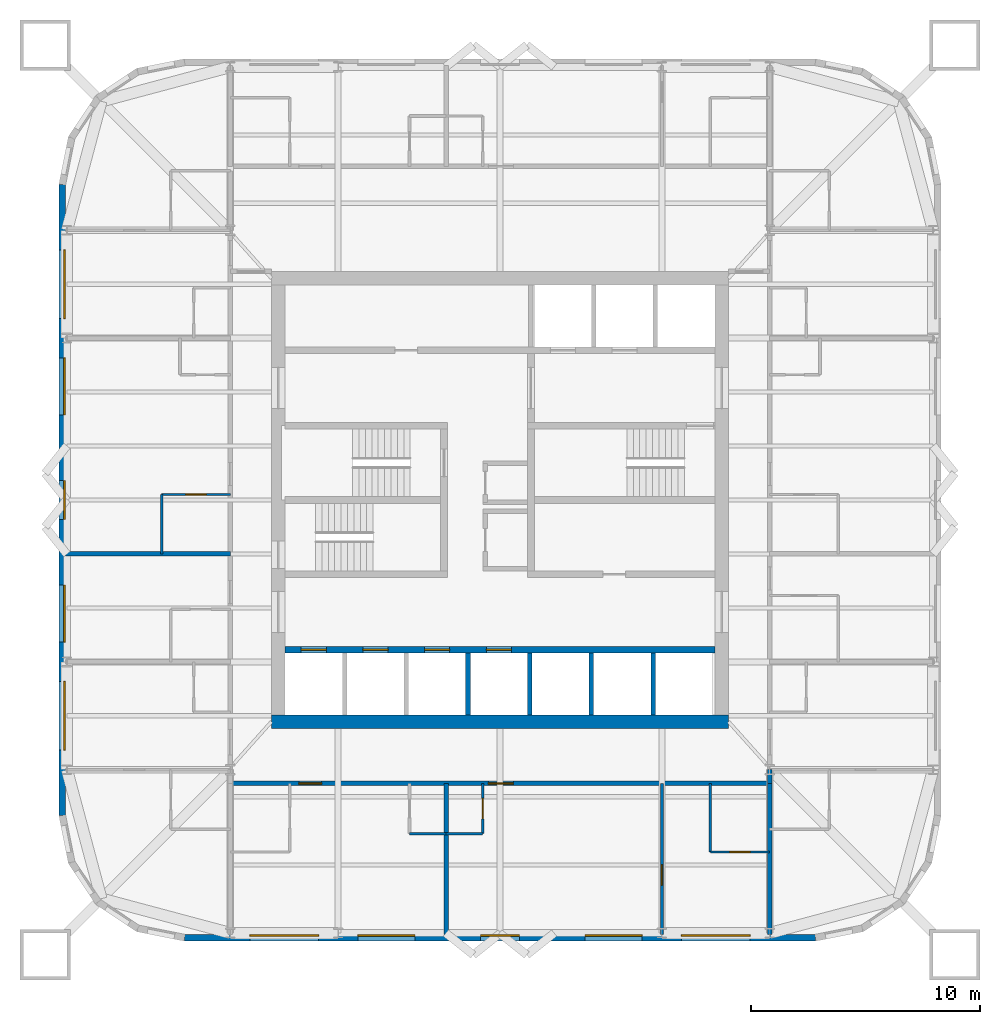
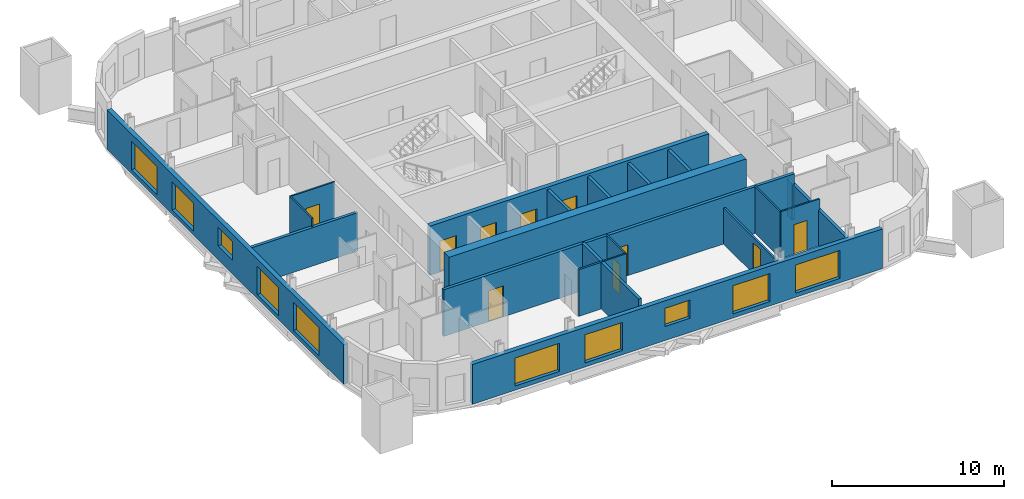
# One storey, part 3 of 8: 21 walls, 10 doors, 10 windows, 20 openings.
"""IFC4 building model written with IfcOpenShell, lengths in metres."""

import ifcopenshell
import ifcopenshell.guid

model = None  # the IFC model being written
_history = None  # IfcOwnerHistory: only IFC2X3 demands one
_inside = {}  # id of a spatial element -> (the spatial element, [elements in it])
_under = {}  # id of a project, library or spatial element -> (it, [spatial elements below it])
_declared = {}  # id of a project -> (the project, [libraries it declares])
_typed = {}  # id of a type object -> (the type object, [elements of that type])
_made_of = {}  # id of a material, layer set ... -> (it, [elements and type objects made of it])


def new_model(schema):
    """Start an empty IFC model of exactly this schema.

    Asked for "IFC4X3", IfcOpenShell would pick the latest addendum, in which some entities
    have other attributes; the version numbers below select the first issue.
    IFC2X3 requires an IfcOwnerHistory on every rooted entity: one is made here for all.
    """
    global model, _history
    if schema == "IFC4X3":
        model = ifcopenshell.file(schema_version=(4, 3, 0, 0))
    else:
        model = ifcopenshell.file(schema=schema)
    _inside.clear()
    _under.clear()
    _declared.clear()
    _typed.clear()
    _made_of.clear()
    _history = None
    if model.schema == "IFC2X3":
        org = make("IfcOrganization", Name="unknown")
        user = make(
            "IfcPersonAndOrganization",
            ThePerson=make("IfcPerson", FamilyName="unknown"),
            TheOrganization=org,
        )
        app = make(
            "IfcApplication",
            ApplicationDeveloper=org,
            Version="unknown",
            ApplicationFullName="unknown",
            ApplicationIdentifier="unknown",
        )
        _history = make(
            "IfcOwnerHistory",
            OwningUser=user,
            OwningApplication=app,
            ChangeAction="ADDED",
            CreationDate=0,
        )
    return model


def make(cls, **values):
    """One entity of the class cls with the attributes given. An attribute that is None is left unset."""
    return model.create_entity(
        cls, **{name: value for name, value in values.items() if value is not None}
    )


def rooted(cls, **values):
    """An entity with a GlobalId (a new one), such as an element, a storey or a relation."""
    return make(cls, GlobalId=ifcopenshell.guid.new(), OwnerHistory=_history, **values)


def si_unit(unit_type, name, prefix=None):
    """IfcSIUnit, for example si_unit("LENGTHUNIT", "METRE", prefix="MILLI")."""
    return make("IfcSIUnit", UnitType=unit_type, Prefix=prefix, Name=name)


def assignment(units):
    """IfcUnitAssignment: the units of a project."""
    return None if units is None else make("IfcUnitAssignment", Units=units)


def point(xyz):
    """IfcCartesianPoint."""
    return None if xyz is None else make("IfcCartesianPoint", Coordinates=xyz)


def direction(xyz):
    """IfcDirection."""
    return None if xyz is None else make("IfcDirection", DirectionRatios=xyz)


def frame(location, z_axis=None, x_axis=None):
    """IfcAxis2Placement3D, a coordinate frame: its origin and axes. An axis left out is left unset."""
    return make(
        "IfcAxis2Placement3D",
        Location=point(location),
        Axis=direction(z_axis),
        RefDirection=direction(x_axis),
    )


def frame_2d(location, x_axis=None):
    """IfcAxis2Placement2D, a coordinate frame in the plane: its origin and x axis."""
    return make(
        "IfcAxis2Placement2D", Location=point(location), RefDirection=direction(x_axis)
    )


def origin():
    """The frame at (0, 0, 0) with its axes left unset."""
    return frame((0.0, 0.0, 0.0))


def place(relative_to, where):
    """IfcLocalPlacement: puts the frame where relative to a parent placement (None: the world)."""
    return make(
        "IfcLocalPlacement", PlacementRelTo=relative_to, RelativePlacement=where
    )


def context(
    kind, dimensions, precision=None, world=None, true_north=None, identifier=None
):
    """IfcGeometricRepresentationContext, for example the 3D "Model" context."""
    return make(
        "IfcGeometricRepresentationContext",
        ContextIdentifier=identifier,
        ContextType=kind,
        CoordinateSpaceDimension=dimensions,
        Precision=precision,
        WorldCoordinateSystem=world,
        TrueNorth=true_north,
    )


def subcontext(parent, identifier, kind, view, scale=None):
    """IfcGeometricRepresentationSubContext, for example "Body" below "Model"."""
    return make(
        "IfcGeometricRepresentationSubContext",
        ContextIdentifier=identifier,
        ContextType=kind,
        ParentContext=parent,
        TargetScale=scale,
        TargetView=view,
    )


def project(units=None, contexts=None):
    """IfcProject with its units and contexts."""
    return rooted(
        "IfcProject",
        Name="project",
        RepresentationContexts=contexts,
        UnitsInContext=assignment(units),
    )


def spatial(cls, under=None, at=None, **own):
    """A site, building, storey or space (cls), placed at a placement, below another one or the project."""
    s = rooted(cls, ObjectPlacement=at, **own)
    if under is not None:
        _under.setdefault(under.id(), (under, []))[1].append(s)
    return s


def profile(cls, at=None, kind="AREA", **sizes):
    """A parametric profile (cls). Its sizes go by their IFC names, for example OverallWidth=200.0."""
    return make(cls, ProfileType=kind, Position=at, **sizes)


def rectangle(**sizes):
    """IfcRectangleProfileDef."""
    return profile("IfcRectangleProfileDef", **sizes)


def extrude(swept, where, along, depth):
    """IfcExtrudedAreaSolid: the profile swept, set in the frame where, extruded along a direction by depth."""
    return make(
        "IfcExtrudedAreaSolid",
        SweptArea=swept,
        Position=where,
        ExtrudedDirection=direction(along),
        Depth=depth,
    )


def shape(context_of_items, identifier, shape_type, items):
    """IfcShapeRepresentation: the items that make up one representation, for example the "Body"."""
    return make(
        "IfcShapeRepresentation",
        ContextOfItems=context_of_items,
        RepresentationIdentifier=identifier,
        RepresentationType=shape_type,
        Items=items,
    )


def material(Name=None, Category=None):
    """IfcMaterial."""
    return make("IfcMaterial", Name=Name, Category=Category)


def layer(
    of_material, thickness, ventilated=None, Name=None, Category=None, Priority=None
):
    """IfcMaterialLayer: one layer of a wall or slab, of a material (None: an air gap)."""
    return make(
        "IfcMaterialLayer",
        Material=of_material,
        LayerThickness=thickness,
        IsVentilated=ventilated,
        Name=Name,
        Category=Category,
        Priority=Priority,
    )


def layer_set(layers, Name=None):
    """IfcMaterialLayerSet."""
    return make("IfcMaterialLayerSet", MaterialLayers=layers, LayerSetName=Name)


def made_of(thing, what):
    """Note that an element or type object is made of a material, layer set ...; save() writes the relation."""
    if what is not None:
        _made_of.setdefault(what.id(), (what, []))[1].append(thing)
    return thing


def type_object(cls, material=None, **own):
    """A type object (cls), such as IfcWallType, which elements share."""
    return made_of(rooted(cls, **own), material)


def element(
    cls,
    number,
    at=None,
    inside=None,
    cuts=None,
    type_object=None,
    material=None,
    context=None,
    identifier="Body",
    shape_type=None,
    held_by="IfcProductDefinitionShape",
    body=None,
    shapes=None,
    **own,
):
    """One element of the class cls, such as IfcWall. Its Tag is "e" and its number.

    at: its placement. inside: the storey or other place that contains it. cuts: it is an
    opening in that element (IfcRelVoidsElement). A single representation is given by context,
    identifier, shape_type and body (its items); several are given by shapes. held_by: the class
    of the entity that holds the representations. save() writes the other relations.
    """
    e = rooted(cls, Tag="e%d" % number, ObjectPlacement=at, **own)
    if body is not None:
        shapes = [shape(context, identifier, shape_type, body)]
    if shapes is not None:
        e.Representation = make(held_by, Representations=shapes)
    if inside is not None:
        _inside.setdefault(inside.id(), (inside, []))[1].append(e)
    if cuts is not None:
        rooted(
            "IfcRelVoidsElement", RelatingBuildingElement=cuts, RelatedOpeningElement=e
        )
    if type_object is not None:
        _typed.setdefault(type_object.id(), (type_object, []))[1].append(e)
    return made_of(e, material)


def fill(opening, filler):
    """IfcRelFillsElement: the door or window that sits in an opening."""
    return rooted(
        "IfcRelFillsElement",
        RelatingOpeningElement=opening,
        RelatedBuildingElement=filler,
    )


def aggregate(whole, parts):
    """IfcRelAggregates: a whole, such as a stair, and the parts it consists of."""
    return rooted("IfcRelAggregates", RelatingObject=whole, RelatedObjects=parts)


def save(model, path):
    """Write the relations noted so far, then the file.

    IfcRelAggregates (storeys below a building ...), IfcRelContainedInSpatialStructure (elements
    in a storey), IfcRelDefinesByType, IfcRelAssociatesMaterial and IfcRelDeclares: one each for
    every whole, place, type object, material and project.
    """
    for whole, parts in _under.values():
        aggregate(whole, parts)
    for where, things in _inside.values():
        rooted(
            "IfcRelContainedInSpatialStructure",
            RelatedElements=things,
            RelatingStructure=where,
        )
    for kind, things in _typed.values():
        rooted("IfcRelDefinesByType", RelatedObjects=things, RelatingType=kind)
    for what, things in _made_of.values():
        rooted("IfcRelAssociatesMaterial", RelatedObjects=things, RelatingMaterial=what)
    for by, libraries in _declared.values():
        rooted("IfcRelDeclares", RelatingContext=by, RelatedDefinitions=libraries)
    model.write(path)


model = new_model("IFC4")

# Units and contexts
model_context = context("Model", 3, precision=1e-05, world=origin(), true_north=direction((0.0, 1.0)))
body_context = subcontext(model_context, "Body", "Model", "MODEL_VIEW")
ifc_project = project(units=[si_unit("LENGTHUNIT", "METRE"), si_unit("AREAUNIT", "SQUARE_METRE"), si_unit("VOLUMEUNIT", "CUBIC_METRE"), si_unit("PLANEANGLEUNIT", "RADIAN"), si_unit("MASSUNIT", "GRAM", prefix="KILO")], contexts=[model_context])

# Site, building, storey
site_placement = place(None, origin())
site = spatial("IfcSite", under=ifc_project, at=site_placement, CompositionType="ELEMENT")
building_placement = place(site_placement, origin())
building = spatial("IfcBuilding", under=site, at=building_placement, Name="Turquesa Mirador Hotel Tower", CompositionType="ELEMENT")
storey_placement = place(building_placement, frame((0.0, 0.0, 193.300048828125)))
storey = spatial("IfcBuildingStorey", under=building, at=storey_placement, Name="L52", CompositionType="ELEMENT", Elevation=193.300048828125)

# Wall
ifc_material_1 = material(Name="Gypsum board on steel studs", Category="steel")
ifc_layer_1 = layer(ifc_material_1, 0.10009765625)
ifc_layer_set_1 = layer_set([ifc_layer_1], Name="BATHROOM WALL 100")
wall_type_1 = type_object("IfcWallType", Name="BATHROOM WALL 100", PredefinedType="PARTITIONING", material=ifc_layer_set_1)
wall_1_placement = place(storey_placement, frame((52.639892578125, 30.39990234375, 0.0), z_axis=(0.0, 0.0, 1.0), x_axis=(1.0, 0.0, 0.0)))
element("IfcWall", 1, at=wall_1_placement, inside=storey, type_object=wall_type_1, Name="Partition L52 008", PredefinedType="PARTITIONING", context=body_context, shape_type="SweptSolid", body=[
    extrude(rectangle(XDim=1.60009765625, YDim=0.10009765625, at=frame_2d((0.800048828125, 0.0))), origin(), (0.0, 0.0, 1.0), 3.329833984375),
])

# Wall, opening, door
wall_2_placement = place(storey_placement, frame((64.199951171875, 29.60009765625, 0.0), z_axis=(0.0, 0.0, 1.0), x_axis=(1.0, 0.0, 0.0)))
wall_2 = element("IfcWall", 2, at=wall_2_placement, inside=storey, type_object=wall_type_1, Name="Partition L52 011", PredefinedType="PARTITIONING", context=body_context, shape_type="SweptSolid", body=[
    extrude(rectangle(XDim=2.60009765625, YDim=0.10009765625, at=frame_2d((1.300048828125, 0.0))), origin(), (0.0, 0.0, 1.0), 3.329833984375),
])
opening_1_placement = place(wall_2_placement, frame((0.85009765625, 0.0, 0.0)))
opening_1 = element("IfcOpeningElement", 3, at=opening_1_placement, cuts=wall_2, Name="Opening D02", PredefinedType="OPENING", context=body_context, shape_type="SweptSolid", body=[
    extrude(rectangle(XDim=0.89990234375, YDim=2.10009765625, at=frame_2d((0.449951171875, 1.050048828125))), frame((0.0, 0.06005859375, 0.0), z_axis=(0.0, -1.0, 0.0), x_axis=(1.0, 0.0, 0.0)), (0.0, 0.0, 1.0), 0.1201171875),
])
ifc_material_2 = material(Name="Timber veneered door", Category="wood")
door_type_1 = type_object("IfcDoorType", Name="DOOR 900X2100 EN-SUITE", OperationType="SINGLE_SWING_RIGHT", PredefinedType="DOOR", material=ifc_material_2)
door_1_placement = place(opening_1_placement, origin())
door_1 = element("IfcDoor", 4, at=door_1_placement, inside=storey, type_object=door_type_1, Name="Door 5204B", OperationType="SINGLE_SWING_RIGHT", OverallHeight=2.10009765625, OverallWidth=0.89990234375, PredefinedType="DOOR", context=body_context, shape_type="SweptSolid", body=[
    extrude(rectangle(XDim=0.89990234375, YDim=2.10009765625, at=frame_2d((0.449951171875, 1.050048828125))), frame((0.0, 0.02490234375, 0.0), z_axis=(0.0, -1.0, 0.0), x_axis=(1.0, 0.0, 0.0)), (0.0, 0.0, 1.0), 0.050048828125),
])
fill(opening_1, door_1)

wall_3_placement = place(storey_placement, frame((40.199951171875, 45.239990234375, 0.0), z_axis=(0.0, 0.0, 1.0), x_axis=(1.0, 0.0, 0.0)))
wall_3 = element("IfcWall", 5, at=wall_3_placement, inside=storey, type_object=wall_type_1, Name="Partition L52 020", PredefinedType="PARTITIONING", context=body_context, shape_type="SweptSolid", body=[
    extrude(rectangle(XDim=3.0, YDim=0.10009765625, at=frame_2d((1.5, 0.0))), origin(), (0.0, 0.0, 1.0), 3.329833984375),
])
opening_2_placement = place(wall_3_placement, frame((1.050048828125, 0.0, 0.0)))
opening_2 = element("IfcOpeningElement", 6, at=opening_2_placement, cuts=wall_3, Name="Opening D02", PredefinedType="OPENING", context=body_context, shape_type="SweptSolid", body=[
    extrude(rectangle(XDim=0.89990234375, YDim=2.10009765625, at=frame_2d((0.449951171875, 1.050048828125))), frame((0.0, 0.06005859375, 0.0), z_axis=(0.0, -1.0, 0.0), x_axis=(1.0, 0.0, 0.0)), (0.0, 0.0, 1.0), 0.1201171875),
])
door_2_placement = place(opening_2_placement, origin())
door_2 = element("IfcDoor", 7, at=door_2_placement, inside=storey, type_object=door_type_1, Name="Door 5208B", OperationType="SINGLE_SWING_RIGHT", OverallHeight=2.10009765625, OverallWidth=0.89990234375, PredefinedType="DOOR", context=body_context, shape_type="SweptSolid", body=[
    extrude(rectangle(XDim=0.89990234375, YDim=2.10009765625, at=frame_2d((0.449951171875, 1.050048828125))), frame((0.0, 0.02490234375, 0.0), z_axis=(0.0, -1.0, 0.0), x_axis=(1.0, 0.0, 0.0)), (0.0, 0.0, 1.0), 0.050048828125),
])
fill(opening_2, door_2)

wall_4_placement = place(storey_placement, frame((54.239990234375, 30.39990234375, 0.0), z_axis=(0.0, 0.0, 1.0), x_axis=(0.0, 1.0, 0.0)))
wall_4 = element("IfcWall", 8, at=wall_4_placement, inside=storey, type_object=wall_type_1, Name="Partition L52 041", PredefinedType="PARTITIONING", context=body_context, shape_type="SweptSolid", body=[
    extrude(rectangle(XDim=2.2001953125, YDim=0.10009765625, at=frame_2d((1.10009765625, 0.0))), origin(), (0.0, 0.0, 1.0), 3.329833984375),
])
opening_3_placement = place(wall_4_placement, frame((0.64990234375, 0.0, 0.0)))
opening_3 = element("IfcOpeningElement", 9, at=opening_3_placement, cuts=wall_4, Name="Opening D06", PredefinedType="OPENING", context=body_context, shape_type="SweptSolid", body=[
    extrude(rectangle(XDim=0.89990234375, YDim=2.10009765625, at=frame_2d((0.449951171875, 1.050048828125))), frame((0.0, 0.06005859375, 0.0), z_axis=(0.0, -1.0, 0.0), x_axis=(1.0, 0.0, 0.0)), (0.0, 0.0, 1.0), 0.1201171875),
])
ifc_material_3 = material(Name="Laminate door", Category="wood")
door_type_2 = type_object("IfcDoorType", Name="DOOR 900X2100 WC", OperationType="SINGLE_SWING_LEFT", PredefinedType="DOOR", material=ifc_material_3)
door_3_placement = place(opening_3_placement, origin())
door_3 = element("IfcDoor", 10, at=door_3_placement, inside=storey, type_object=door_type_2, Name="Door 5204W", OperationType="SINGLE_SWING_LEFT", OverallHeight=2.10009765625, OverallWidth=0.89990234375, PredefinedType="DOOR", context=body_context, shape_type="SweptSolid", body=[
    extrude(rectangle(XDim=0.89990234375, YDim=2.10009765625, at=frame_2d((0.449951171875, 1.050048828125))), frame((0.0, 0.02490234375, 0.0), z_axis=(0.0, -1.0, 0.0), x_axis=(1.0, 0.0, 0.0)), (0.0, 0.0, 1.0), 0.050048828125),
])
fill(opening_3, door_3)

# Walls
wall_5_placement = place(storey_placement, frame((40.199951171875, 42.639892578125, 0.0), z_axis=(0.0, 0.0, 1.0), x_axis=(0.0, 1.0, 0.0)))
element("IfcWall", 11, at=wall_5_placement, inside=storey, type_object=wall_type_1, Name="Partition L52 052", PredefinedType="PARTITIONING", context=body_context, shape_type="SweptSolid", body=[
    extrude(rectangle(XDim=2.60009765625, YDim=0.10009765625, at=frame_2d((1.300048828125, 0.0))), origin(), (0.0, 0.0, 1.0), 3.329833984375),
])
wall_6_placement = place(storey_placement, frame((64.199951171875, 29.60009765625, 0.0), z_axis=(0.0, 0.0, 1.0), x_axis=(0.0, 1.0, 0.0)))
element("IfcWall", 12, at=wall_6_placement, inside=storey, type_object=wall_type_1, Name="Partition L52 071", PredefinedType="PARTITIONING", context=body_context, shape_type="SweptSolid", body=[
    extrude(rectangle(XDim=3.0, YDim=0.10009765625, at=frame_2d((1.5, 0.0))), origin(), (0.0, 0.0, 1.0), 3.329833984375),
])

# Wall, openings, doors
ifc_material_4 = material(Name="Concrete C50/60", Category="concrete")
ifc_layer_2 = layer(ifc_material_4, 0.300048828125)
ifc_layer_set_2 = layer_set([ifc_layer_2], Name="CORE INNER WALL 300")
wall_type_2 = type_object("IfcWallType", Name="CORE INNER WALL 300", PredefinedType="SHEAR", material=ifc_layer_set_2)
wall_7_placement = place(storey_placement, frame((45.60009765625, 38.449951171875, 0.0), z_axis=(0.0, 0.0, 1.0), x_axis=(1.0, 0.0, 0.0)))
wall_7 = element("IfcWall", 13, at=wall_7_placement, inside=storey, type_object=wall_type_2, Name="Core wall SL", PredefinedType="SHEAR", context=body_context, shape_type="SweptSolid", body=[
    extrude(rectangle(XDim=18.7998046875, YDim=0.300048828125, at=frame_2d((9.39990234375, 0.0))), origin(), (0.0, 0.0, 1.0), 3.5),
])
opening_4_placement = place(wall_7_placement, frame((0.699951171875, 0.0, 0.0)))
opening_4 = element("IfcOpeningElement", 14, at=opening_4_placement, cuts=wall_7, Name="Opening LD", PredefinedType="OPENING", context=body_context, shape_type="SweptSolid", body=[
    extrude(rectangle(XDim=1.10009765625, YDim=2.199951171875, at=frame_2d((0.550048828125, 1.10009765625))), frame((0.0, 0.159912109375, 0.0), z_axis=(0.0, -1.0, 0.0), x_axis=(1.0, 0.0, 0.0)), (0.0, 0.0, 1.0), 0.320068359375),
])
opening_5_placement = place(wall_7_placement, frame((3.39990234375, 0.0, 0.0)))
opening_5 = element("IfcOpeningElement", 15, at=opening_5_placement, cuts=wall_7, Name="Opening LD", PredefinedType="OPENING", context=body_context, shape_type="SweptSolid", body=[
    extrude(rectangle(XDim=1.10009765625, YDim=2.199951171875, at=frame_2d((0.550048828125, 1.10009765625))), frame((0.0, 0.159912109375, 0.0), z_axis=(0.0, -1.0, 0.0), x_axis=(1.0, 0.0, 0.0)), (0.0, 0.0, 1.0), 0.320068359375),
])
opening_6_placement = place(wall_7_placement, frame((6.10009765625, 0.0, 0.0)))
opening_6 = element("IfcOpeningElement", 16, at=opening_6_placement, cuts=wall_7, Name="Opening LD", PredefinedType="OPENING", context=body_context, shape_type="SweptSolid", body=[
    extrude(rectangle(XDim=1.10009765625, YDim=2.199951171875, at=frame_2d((0.550048828125, 1.10009765625))), frame((0.0, 0.159912109375, 0.0), z_axis=(0.0, -1.0, 0.0), x_axis=(1.0, 0.0, 0.0)), (0.0, 0.0, 1.0), 0.320068359375),
])
opening_7_placement = place(wall_7_placement, frame((8.800048828125, 0.0, 0.0)))
opening_7 = element("IfcOpeningElement", 17, at=opening_7_placement, cuts=wall_7, Name="Opening LD", PredefinedType="OPENING", context=body_context, shape_type="SweptSolid", body=[
    extrude(rectangle(XDim=1.10009765625, YDim=2.199951171875, at=frame_2d((0.550048828125, 1.10009765625))), frame((0.0, 0.159912109375, 0.0), z_axis=(0.0, -1.0, 0.0), x_axis=(1.0, 0.0, 0.0)), (0.0, 0.0, 1.0), 0.320068359375),
])
ifc_material_5 = material(Name="Stainless steel lift landing door", Category="steel")
door_type_3 = type_object("IfcDoorType", Name="LIFT LANDING DOOR 1100X2200", OperationType="SLIDING_TO_LEFT", PredefinedType="DOOR", material=ifc_material_5)
door_4_placement = place(opening_4_placement, origin())
door_4 = element("IfcDoor", 18, at=door_4_placement, inside=storey, type_object=door_type_3, Name="Lift B1 landing door", OperationType="SLIDING_TO_LEFT", OverallHeight=2.199951171875, OverallWidth=1.10009765625, PredefinedType="DOOR", context=body_context, shape_type="SweptSolid", body=[
    extrude(rectangle(XDim=1.10009765625, YDim=2.199951171875, at=frame_2d((0.550048828125, 1.10009765625))), frame((0.0, 0.02490234375, 0.0), z_axis=(0.0, -1.0, 0.0), x_axis=(1.0, 0.0, 0.0)), (0.0, 0.0, 1.0), 0.050048828125),
])
fill(opening_4, door_4)
door_5_placement = place(opening_5_placement, origin())
door_5 = element("IfcDoor", 19, at=door_5_placement, inside=storey, type_object=door_type_3, Name="Lift B2 landing door", OperationType="SLIDING_TO_LEFT", OverallHeight=2.199951171875, OverallWidth=1.10009765625, PredefinedType="DOOR", context=body_context, shape_type="SweptSolid", body=[
    extrude(rectangle(XDim=1.10009765625, YDim=2.199951171875, at=frame_2d((0.550048828125, 1.10009765625))), frame((0.0, 0.02490234375, 0.0), z_axis=(0.0, -1.0, 0.0), x_axis=(1.0, 0.0, 0.0)), (0.0, 0.0, 1.0), 0.050048828125),
])
fill(opening_5, door_5)
door_6_placement = place(opening_6_placement, origin())
door_6 = element("IfcDoor", 20, at=door_6_placement, inside=storey, type_object=door_type_3, Name="Lift B3 landing door", OperationType="SLIDING_TO_LEFT", OverallHeight=2.199951171875, OverallWidth=1.10009765625, PredefinedType="DOOR", context=body_context, shape_type="SweptSolid", body=[
    extrude(rectangle(XDim=1.10009765625, YDim=2.199951171875, at=frame_2d((0.550048828125, 1.10009765625))), frame((0.0, 0.02490234375, 0.0), z_axis=(0.0, -1.0, 0.0), x_axis=(1.0, 0.0, 0.0)), (0.0, 0.0, 1.0), 0.050048828125),
])
fill(opening_6, door_6)
door_7_placement = place(opening_7_placement, origin())
door_7 = element("IfcDoor", 21, at=door_7_placement, inside=storey, type_object=door_type_3, Name="Lift B4 landing door", OperationType="SLIDING_TO_LEFT", OverallHeight=2.199951171875, OverallWidth=1.10009765625, PredefinedType="DOOR", context=body_context, shape_type="SweptSolid", body=[
    extrude(rectangle(XDim=1.10009765625, YDim=2.199951171875, at=frame_2d((0.550048828125, 1.10009765625))), frame((0.0, 0.02490234375, 0.0), z_axis=(0.0, -1.0, 0.0), x_axis=(1.0, 0.0, 0.0)), (0.0, 0.0, 1.0), 0.050048828125),
])
fill(opening_7, door_7)

# Wall
ifc_material_6 = material(Name="Concrete C50/60", Category="concrete")
ifc_layer_3 = layer(ifc_material_6, 0.60009765625)
ifc_layer_set_3 = layer_set([ifc_layer_3], Name="CORE WALL 600")
wall_type_3 = type_object("IfcWallType", Name="CORE WALL 600", PredefinedType="SHEAR", material=ifc_layer_set_3)
wall_8_placement = place(storey_placement, frame((45.0, 35.300048828125, 0.0), z_axis=(0.0, 0.0, 1.0), x_axis=(1.0, 0.0, 0.0)))
element("IfcWall", 22, at=wall_8_placement, inside=storey, type_object=wall_type_3, Name="Core wall S", PredefinedType="SHEAR", context=body_context, shape_type="SweptSolid", body=[
    extrude(rectangle(XDim=20.0, YDim=0.60009765625, at=frame_2d((10.0, 0.0))), origin(), (0.0, 0.0, 1.0), 3.5),
])

# Wall, openings, doors
ifc_material_7 = material(Name="Fire-rated gypsum board on steel studs", Category="steel")
ifc_layer_4 = layer(ifc_material_7, 0.199951171875)
ifc_layer_set_4 = layer_set([ifc_layer_4], Name="CORRIDOR WALL 200")
wall_type_4 = type_object("IfcWallType", Name="CORRIDOR WALL 200", PredefinedType="PARTITIONING", material=ifc_layer_set_4)
wall_9_placement = place(storey_placement, frame((43.199951171875, 32.60009765625, 0.0), z_axis=(0.0, 0.0, 1.0), x_axis=(1.0, 0.0, 0.0)))
wall_9 = element("IfcWall", 23, at=wall_9_placement, inside=storey, type_object=wall_type_4, Name="Partition L52 005", PredefinedType="PARTITIONING", context=body_context, shape_type="SweptSolid", body=[
    extrude(rectangle(XDim=23.60009765625, YDim=0.199951171875, at=frame_2d((11.800048828125, 0.0))), origin(), (0.0, 0.0, 1.0), 3.329833984375),
])
opening_8_placement = place(wall_9_placement, frame((3.0, 0.0, 0.0)))
opening_8 = element("IfcOpeningElement", 24, at=opening_8_placement, cuts=wall_9, Name="Opening D01", PredefinedType="OPENING", context=body_context, shape_type="SweptSolid", body=[
    extrude(rectangle(XDim=1.0, YDim=2.199951171875, at=frame_2d((0.5, 1.10009765625))), frame((0.0, 0.10986328125, 0.0), z_axis=(0.0, -1.0, 0.0), x_axis=(1.0, 0.0, 0.0)), (0.0, 0.0, 1.0), 0.219970703125),
])
opening_9_placement = place(wall_9_placement, frame((11.2900390625, 0.0, 0.0)))
opening_9 = element("IfcOpeningElement", 25, at=opening_9_placement, cuts=wall_9, Name="Opening D15", PredefinedType="OPENING", context=body_context, shape_type="SweptSolid", body=[
    extrude(rectangle(XDim=1.10009765625, YDim=2.199951171875, at=frame_2d((0.550048828125, 1.10009765625))), frame((0.0, 0.10986328125, 0.0), z_axis=(0.0, -1.0, 0.0), x_axis=(1.0, 0.0, 0.0)), (0.0, 0.0, 1.0), 0.219970703125),
])
ifc_material_8 = material(Name="Timber veneered fire door", Category="wood")
door_type_4 = type_object("IfcDoorType", Name="DOOR 1000X2200 GUEST ENTRY", OperationType="SINGLE_SWING_LEFT", PredefinedType="DOOR", material=ifc_material_8)
door_8_placement = place(opening_8_placement, origin())
door_8 = element("IfcDoor", 26, at=door_8_placement, inside=storey, type_object=door_type_4, Name="Door 5203", OperationType="SINGLE_SWING_LEFT", OverallHeight=2.199951171875, OverallWidth=1.0, PredefinedType="DOOR", context=body_context, shape_type="SweptSolid", body=[
    extrude(rectangle(XDim=1.0, YDim=2.199951171875, at=frame_2d((0.5, 1.10009765625))), frame((0.0, 0.02490234375, 0.0), z_axis=(0.0, -1.0, 0.0), x_axis=(1.0, 0.0, 0.0)), (0.0, 0.0, 1.0), 0.050048828125),
])
fill(opening_8, door_8)
ifc_material_9 = material(Name="Timber veneered fire door", Category="wood")
door_type_5 = type_object("IfcDoorType", Name="DOOR 1100X2200 SUITE ENTRY", OperationType="SINGLE_SWING_LEFT", PredefinedType="DOOR", material=ifc_material_9)
door_9_placement = place(opening_9_placement, origin())
door_9 = element("IfcDoor", 27, at=door_9_placement, inside=storey, type_object=door_type_5, Name="Door 5204", OperationType="SINGLE_SWING_LEFT", OverallHeight=2.199951171875, OverallWidth=1.10009765625, PredefinedType="DOOR", context=body_context, shape_type="SweptSolid", body=[
    extrude(rectangle(XDim=1.10009765625, YDim=2.199951171875, at=frame_2d((0.550048828125, 1.10009765625))), frame((0.0, 0.02490234375, 0.0), z_axis=(0.0, -1.0, 0.0), x_axis=(1.0, 0.0, 0.0)), (0.0, 0.0, 1.0), 0.050048828125),
])
fill(opening_9, door_9)

# Wall
wall_10_placement = place(storey_placement, frame((66.800048828125, 32.60009765625, 0.0), z_axis=(0.0, 0.0, 1.0), x_axis=(0.0, 1.0, 0.0)))
element("IfcWall", 28, at=wall_10_placement, inside=storey, type_object=wall_type_4, Name="Partition L52 075", PredefinedType="PARTITIONING", context=body_context, shape_type="SweptSolid", body=[
    extrude(rectangle(XDim=0.619873046875, YDim=0.199951171875, at=frame_2d((0.31005859375, 0.0))), origin(), (0.0, 0.0, 1.0), 2.572998046875),
])

# Wall, openings, windows
ifc_material_10 = material(Name="Limestone cladding on concrete block", Category="masonry")
ifc_layer_5 = layer(ifc_material_10, 0.300048828125)
ifc_layer_set_5 = layer_set([ifc_layer_5], Name="FACADE WALL 300 STONE SCREEN")
wall_type_5 = type_object("IfcWallType", Name="FACADE WALL 300 STONE SCREEN", PredefinedType="SOLIDWALL", material=ifc_layer_set_5)
wall_11_placement = place(storey_placement, frame((35.85009765625, 58.800048828125, 0.0), z_axis=(0.0, 0.0, 1.0), x_axis=(0.0, -1.0, 0.0)))
wall_11 = element("IfcWall", 29, at=wall_11_placement, inside=storey, type_object=wall_type_5, Name="Facade wall L52 14", PredefinedType="SOLIDWALL", context=body_context, shape_type="SweptSolid", body=[
    extrude(rectangle(XDim=27.60009765625, YDim=0.300048828125, at=frame_2d((13.800048828125, 0.0))), origin(), (0.0, 0.0, 1.0), 2.829833984375),
])
opening_10_placement = place(wall_11_placement, frame((2.860107421875, 0.0, 0.300048828125)))
opening_10 = element("IfcOpeningElement", 30, at=opening_10_placement, cuts=wall_11, Name="Opening WN1", PredefinedType="OPENING", context=body_context, shape_type="SweptSolid", body=[
    extrude(rectangle(XDim=3.0, YDim=2.0, at=frame_2d((1.5, 1.0))), frame((0.0, 0.159912109375, 0.0), z_axis=(0.0, -1.0, 0.0), x_axis=(1.0, 0.0, 0.0)), (0.0, 0.0, 1.0), 0.320068359375),
])
opening_11_placement = place(wall_11_placement, frame((7.580078125, 0.0, 0.300048828125)))
opening_11 = element("IfcOpeningElement", 31, at=opening_11_placement, cuts=wall_11, Name="Opening WN52", PredefinedType="OPENING", context=body_context, shape_type="SweptSolid", body=[
    extrude(rectangle(XDim=2.5, YDim=2.0, at=frame_2d((1.25, 1.0))), frame((0.0, 0.159912109375, 0.0), z_axis=(0.0, -1.0, 0.0), x_axis=(1.0, 0.0, 0.0)), (0.0, 0.0, 1.0), 0.320068359375),
])
opening_12_placement = place(wall_11_placement, frame((12.949951171875, 0.0, 1.0)))
opening_12 = element("IfcOpeningElement", 32, at=opening_12_placement, cuts=wall_11, Name="Opening WN45", PredefinedType="OPENING", context=body_context, shape_type="SweptSolid", body=[
    extrude(rectangle(XDim=1.699951171875, YDim=1.300048828125, at=frame_2d((0.85009765625, 0.64990234375))), frame((0.0, 0.159912109375, 0.0), z_axis=(0.0, -1.0, 0.0), x_axis=(1.0, 0.0, 0.0)), (0.0, 0.0, 1.0), 0.320068359375),
])
opening_13_placement = place(wall_11_placement, frame((17.52001953125, 0.0, 0.300048828125)))
opening_13 = element("IfcOpeningElement", 33, at=opening_13_placement, cuts=wall_11, Name="Opening WN52", PredefinedType="OPENING", context=body_context, shape_type="SweptSolid", body=[
    extrude(rectangle(XDim=2.5, YDim=2.0, at=frame_2d((1.25, 1.0))), frame((0.0, 0.159912109375, 0.0), z_axis=(0.0, -1.0, 0.0), x_axis=(1.0, 0.0, 0.0)), (0.0, 0.0, 1.0), 0.320068359375),
])
opening_14_placement = place(wall_11_placement, frame((21.739990234375, 0.0, 0.300048828125)))
opening_14 = element("IfcOpeningElement", 34, at=opening_14_placement, cuts=wall_11, Name="Opening WN1", PredefinedType="OPENING", context=body_context, shape_type="SweptSolid", body=[
    extrude(rectangle(XDim=3.0, YDim=2.0, at=frame_2d((1.5, 1.0))), frame((0.0, 0.159912109375, 0.0), z_axis=(0.0, -1.0, 0.0), x_axis=(1.0, 0.0, 0.0)), (0.0, 0.0, 1.0), 0.320068359375),
])
ifc_material_11 = material(Name="Ceramic-fritted laminated glass", Category="glass")
window_type_1 = type_object("IfcWindowType", Name="FRITTED WINDOW 1700X1300", PartitioningType="DOUBLE_PANEL_HORIZONTAL", PredefinedType="WINDOW", material=ifc_material_11)
window_1_placement = place(opening_12_placement, origin())
window_1 = element("IfcWindow", 35, at=window_1_placement, inside=storey, type_object=window_type_1, Name="Window L52", OverallHeight=1.300048828125, OverallWidth=1.699951171875, PartitioningType="SINGLE_PANEL", PredefinedType="WINDOW", context=body_context, shape_type="SweptSolid", body=[
    extrude(rectangle(XDim=1.699951171875, YDim=1.300048828125, at=frame_2d((0.85009765625, 0.64990234375))), frame((0.0, 0.130126953125, 0.0), z_axis=(0.0, -1.0, 0.0), x_axis=(1.0, 0.0, 0.0)), (0.0, 0.0, 1.0), 0.06005859375),
])
fill(opening_12, window_1)
ifc_material_12 = material(Name="Ceramic-fritted laminated glass", Category="glass")
window_type_2 = type_object("IfcWindowType", Name="FRITTED WINDOW 2500X2000", PartitioningType="DOUBLE_PANEL_HORIZONTAL", PredefinedType="WINDOW", material=ifc_material_12)
window_2_placement = place(opening_11_placement, origin())
window_2 = element("IfcWindow", 36, at=window_2_placement, inside=storey, type_object=window_type_2, Name="Window L52", OverallHeight=2.0, OverallWidth=2.5, PartitioningType="SINGLE_PANEL", PredefinedType="WINDOW", context=body_context, shape_type="SweptSolid", body=[
    extrude(rectangle(XDim=2.5, YDim=2.0, at=frame_2d((1.25, 1.0))), frame((0.0, 0.130126953125, 0.0), z_axis=(0.0, -1.0, 0.0), x_axis=(1.0, 0.0, 0.0)), (0.0, 0.0, 1.0), 0.06005859375),
])
fill(opening_11, window_2)
window_3_placement = place(opening_13_placement, origin())
window_3 = element("IfcWindow", 37, at=window_3_placement, inside=storey, type_object=window_type_2, Name="Window L52", OverallHeight=2.0, OverallWidth=2.5, PartitioningType="SINGLE_PANEL", PredefinedType="WINDOW", context=body_context, shape_type="SweptSolid", body=[
    extrude(rectangle(XDim=2.5, YDim=2.0, at=frame_2d((1.25, 1.0))), frame((0.0, 0.130126953125, 0.0), z_axis=(0.0, -1.0, 0.0), x_axis=(1.0, 0.0, 0.0)), (0.0, 0.0, 1.0), 0.06005859375),
])
fill(opening_13, window_3)
ifc_material_13 = material(Name="Ceramic-fritted laminated glass", Category="glass")
window_type_3 = type_object("IfcWindowType", Name="FRITTED WINDOW 3000X2000", PartitioningType="DOUBLE_PANEL_HORIZONTAL", PredefinedType="WINDOW", material=ifc_material_13)
window_4_placement = place(opening_10_placement, origin())
window_4 = element("IfcWindow", 38, at=window_4_placement, inside=storey, type_object=window_type_3, Name="Window L52", OverallHeight=2.0, OverallWidth=3.0, PartitioningType="SINGLE_PANEL", PredefinedType="WINDOW", context=body_context, shape_type="SweptSolid", body=[
    extrude(rectangle(XDim=3.0, YDim=2.0, at=frame_2d((1.5, 1.0))), frame((0.0, 0.130126953125, 0.0), z_axis=(0.0, -1.0, 0.0), x_axis=(1.0, 0.0, 0.0)), (0.0, 0.0, 1.0), 0.06005859375),
])
fill(opening_10, window_4)
window_5_placement = place(opening_14_placement, origin())
window_5 = element("IfcWindow", 39, at=window_5_placement, inside=storey, type_object=window_type_3, Name="Window L52", OverallHeight=2.0, OverallWidth=3.0, PartitioningType="SINGLE_PANEL", PredefinedType="WINDOW", context=body_context, shape_type="SweptSolid", body=[
    extrude(rectangle(XDim=3.0, YDim=2.0, at=frame_2d((1.5, 1.0))), frame((0.0, 0.130126953125, 0.0), z_axis=(0.0, -1.0, 0.0), x_axis=(1.0, 0.0, 0.0)), (0.0, 0.0, 1.0), 0.06005859375),
])
fill(opening_14, window_5)

wall_12_placement = place(storey_placement, frame((41.199951171875, 25.85009765625, 0.0), z_axis=(0.0, 0.0, 1.0), x_axis=(1.0, 0.0, 0.0)))
wall_12 = element("IfcWall", 40, at=wall_12_placement, inside=storey, type_object=wall_type_5, Name="Facade wall L52 19", PredefinedType="SOLIDWALL", context=body_context, shape_type="SweptSolid", body=[
    extrude(rectangle(XDim=27.60009765625, YDim=0.300048828125, at=frame_2d((13.800048828125, 0.0))), origin(), (0.0, 0.0, 1.0), 2.829833984375),
])
opening_15_placement = place(wall_12_placement, frame((2.860107421875, 0.0, 0.300048828125)))
opening_15 = element("IfcOpeningElement", 41, at=opening_15_placement, cuts=wall_12, Name="Opening WN1", PredefinedType="OPENING", context=body_context, shape_type="SweptSolid", body=[
    extrude(rectangle(XDim=3.0, YDim=2.0, at=frame_2d((1.5, 1.0))), frame((0.0, 0.159912109375, 0.0), z_axis=(0.0, -1.0, 0.0), x_axis=(1.0, 0.0, 0.0)), (0.0, 0.0, 1.0), 0.320068359375),
])
opening_16_placement = place(wall_12_placement, frame((7.580078125, 0.0, 0.300048828125)))
opening_16 = element("IfcOpeningElement", 42, at=opening_16_placement, cuts=wall_12, Name="Opening WN52", PredefinedType="OPENING", context=body_context, shape_type="SweptSolid", body=[
    extrude(rectangle(XDim=2.5, YDim=2.0, at=frame_2d((1.25, 1.0))), frame((0.0, 0.159912109375, 0.0), z_axis=(0.0, -1.0, 0.0), x_axis=(1.0, 0.0, 0.0)), (0.0, 0.0, 1.0), 0.320068359375),
])
opening_17_placement = place(wall_12_placement, frame((12.949951171875, 0.0, 1.0)))
opening_17 = element("IfcOpeningElement", 43, at=opening_17_placement, cuts=wall_12, Name="Opening WN45", PredefinedType="OPENING", context=body_context, shape_type="SweptSolid", body=[
    extrude(rectangle(XDim=1.699951171875, YDim=1.300048828125, at=frame_2d((0.85009765625, 0.64990234375))), frame((0.0, 0.159912109375, 0.0), z_axis=(0.0, -1.0, 0.0), x_axis=(1.0, 0.0, 0.0)), (0.0, 0.0, 1.0), 0.320068359375),
])
opening_18_placement = place(wall_12_placement, frame((17.52001953125, 0.0, 0.300048828125)))
opening_18 = element("IfcOpeningElement", 44, at=opening_18_placement, cuts=wall_12, Name="Opening WN52", PredefinedType="OPENING", context=body_context, shape_type="SweptSolid", body=[
    extrude(rectangle(XDim=2.5, YDim=2.0, at=frame_2d((1.25, 1.0))), frame((0.0, 0.159912109375, 0.0), z_axis=(0.0, -1.0, 0.0), x_axis=(1.0, 0.0, 0.0)), (0.0, 0.0, 1.0), 0.320068359375),
])
opening_19_placement = place(wall_12_placement, frame((21.739990234375, 0.0, 0.300048828125)))
opening_19 = element("IfcOpeningElement", 45, at=opening_19_placement, cuts=wall_12, Name="Opening WN1", PredefinedType="OPENING", context=body_context, shape_type="SweptSolid", body=[
    extrude(rectangle(XDim=3.0, YDim=2.0, at=frame_2d((1.5, 1.0))), frame((0.0, 0.159912109375, 0.0), z_axis=(0.0, -1.0, 0.0), x_axis=(1.0, 0.0, 0.0)), (0.0, 0.0, 1.0), 0.320068359375),
])
window_6_placement = place(opening_17_placement, origin())
window_6 = element("IfcWindow", 46, at=window_6_placement, inside=storey, type_object=window_type_1, Name="Window L52", OverallHeight=1.300048828125, OverallWidth=1.699951171875, PartitioningType="SINGLE_PANEL", PredefinedType="WINDOW", context=body_context, shape_type="SweptSolid", body=[
    extrude(rectangle(XDim=1.699951171875, YDim=1.300048828125, at=frame_2d((0.85009765625, 0.64990234375))), frame((0.0, 0.130126953125, 0.0), z_axis=(0.0, -1.0, 0.0), x_axis=(1.0, 0.0, 0.0)), (0.0, 0.0, 1.0), 0.06005859375),
])
fill(opening_17, window_6)
window_7_placement = place(opening_16_placement, origin())
window_7 = element("IfcWindow", 47, at=window_7_placement, inside=storey, type_object=window_type_2, Name="Window L52", OverallHeight=2.0, OverallWidth=2.5, PartitioningType="SINGLE_PANEL", PredefinedType="WINDOW", context=body_context, shape_type="SweptSolid", body=[
    extrude(rectangle(XDim=2.5, YDim=2.0, at=frame_2d((1.25, 1.0))), frame((0.0, 0.130126953125, 0.0), z_axis=(0.0, -1.0, 0.0), x_axis=(1.0, 0.0, 0.0)), (0.0, 0.0, 1.0), 0.06005859375),
])
fill(opening_16, window_7)
window_8_placement = place(opening_18_placement, origin())
window_8 = element("IfcWindow", 48, at=window_8_placement, inside=storey, type_object=window_type_2, Name="Window L52", OverallHeight=2.0, OverallWidth=2.5, PartitioningType="SINGLE_PANEL", PredefinedType="WINDOW", context=body_context, shape_type="SweptSolid", body=[
    extrude(rectangle(XDim=2.5, YDim=2.0, at=frame_2d((1.25, 1.0))), frame((0.0, 0.130126953125, 0.0), z_axis=(0.0, -1.0, 0.0), x_axis=(1.0, 0.0, 0.0)), (0.0, 0.0, 1.0), 0.06005859375),
])
fill(opening_18, window_8)
window_9_placement = place(opening_15_placement, origin())
window_9 = element("IfcWindow", 49, at=window_9_placement, inside=storey, type_object=window_type_3, Name="Window L52", OverallHeight=2.0, OverallWidth=3.0, PartitioningType="SINGLE_PANEL", PredefinedType="WINDOW", context=body_context, shape_type="SweptSolid", body=[
    extrude(rectangle(XDim=3.0, YDim=2.0, at=frame_2d((1.5, 1.0))), frame((0.0, 0.130126953125, 0.0), z_axis=(0.0, -1.0, 0.0), x_axis=(1.0, 0.0, 0.0)), (0.0, 0.0, 1.0), 0.06005859375),
])
fill(opening_15, window_9)
window_10_placement = place(opening_19_placement, origin())
window_10 = element("IfcWindow", 50, at=window_10_placement, inside=storey, type_object=window_type_3, Name="Window L52", OverallHeight=2.0, OverallWidth=3.0, PartitioningType="SINGLE_PANEL", PredefinedType="WINDOW", context=body_context, shape_type="SweptSolid", body=[
    extrude(rectangle(XDim=3.0, YDim=2.0, at=frame_2d((1.5, 1.0))), frame((0.0, 0.130126953125, 0.0), z_axis=(0.0, -1.0, 0.0), x_axis=(1.0, 0.0, 0.0)), (0.0, 0.0, 1.0), 0.06005859375),
])
fill(opening_19, window_10)

# Walls
ifc_material_14 = material(Name="Fire-rated gypsum shaft wall on steel studs", Category="steel")
ifc_layer_6 = layer(ifc_material_14, 0.199951171875)
ifc_layer_set_6 = layer_set([ifc_layer_6], Name="LIFT SHAFT DIVIDER 200")
wall_type_6 = type_object("IfcWallType", Name="LIFT SHAFT DIVIDER 200", PredefinedType="PARTITIONING", material=ifc_layer_set_6)
for number, where, z_axis, x_axis, name in (
    (51, (53.60009765625, 35.60009765625, 0.0), (0.0, 0.0, 1.0), (0.0, 1.0, 0.0), "Lift shaft divider"),
    (52, (56.300048828125, 35.60009765625, 0.0), (0.0, 0.0, 1.0), (0.0, 1.0, 0.0), "Lift shaft divider"),
    (53, (59.0, 35.60009765625, 0.0), (0.0, 0.0, 1.0), (0.0, 1.0, 0.0), "Lift shaft divider"),
    (54, (61.699951171875, 35.60009765625, 0.0), (0.0, 0.0, 1.0), (0.0, 1.0, 0.0), "Lift shaft divider"),
):
    element("IfcWall", number, at=place(storey_placement, frame(where, z_axis=z_axis, x_axis=x_axis)), inside=storey, type_object=wall_type_6, Name=name, PredefinedType="PARTITIONING", context=body_context, shape_type="SweptSolid", body=[
        extrude(rectangle(XDim=2.699951171875, YDim=0.199951171875, at=frame_2d((1.35009765625, 0.0))), origin(), (0.0, 0.0, 1.0), 3.329833984375),
    ])
ifc_material_15 = material(Name="Fire-rated gypsum board on steel studs", Category="steel")
ifc_layer_7 = layer(ifc_material_15, 0.199951171875)
ifc_layer_set_7 = layer_set([ifc_layer_7], Name="PARTY WALL 200")
wall_type_7 = type_object("IfcWallType", Name="PARTY WALL 200", PredefinedType="PARTITIONING", material=ifc_layer_set_7)
wall_13_placement = place(storey_placement, frame((36.0, 42.639892578125, 0.0), z_axis=(0.0, 0.0, 1.0), x_axis=(1.0, 0.0, 0.0)))
element("IfcWall", 55, at=wall_13_placement, inside=storey, type_object=wall_type_7, Name="Partition L52 012", PredefinedType="PARTITIONING", context=body_context, shape_type="SweptSolid", body=[
    extrude(rectangle(XDim=7.199951171875, YDim=0.199951171875, at=frame_2d((3.60009765625, 0.0))), origin(), (0.0, 0.0, 1.0), 2.73046875),
])
wall_14_placement = place(storey_placement, frame((52.639892578125, 26.0, 0.0), z_axis=(0.0, 0.0, 1.0), x_axis=(0.0, 1.0, 0.0)))
element("IfcWall", 56, at=wall_14_placement, inside=storey, type_object=wall_type_7, Name="Partition L52 053", PredefinedType="PARTITIONING", context=body_context, shape_type="SweptSolid", body=[
    extrude(rectangle(XDim=6.60009765625, YDim=0.199951171875, at=frame_2d((3.300048828125, 0.0))), origin(), (0.0, 0.0, 1.0), 3.329833984375),
])
wall_15_placement = place(storey_placement, frame((66.800048828125, 26.0, 0.0), z_axis=(0.0, 0.0, 1.0), x_axis=(0.0, 1.0, 0.0)))
element("IfcWall", 57, at=wall_15_placement, inside=storey, type_object=wall_type_7, Name="Partition L52 060", PredefinedType="PARTITIONING", context=body_context, shape_type="SweptSolid", body=[
    extrude(rectangle(XDim=6.60009765625, YDim=0.199951171875, at=frame_2d((3.300048828125, 0.0))), origin(), (0.0, 0.0, 1.0), 2.572998046875),
])
ifc_material_16 = material(Name="Acoustic gypsum board on steel studs", Category="steel")
ifc_layer_8 = layer(ifc_material_16, 0.125)
ifc_layer_set_8 = layer_set([ifc_layer_8], Name="SUITE PARTITION 125")
wall_type_8 = type_object("IfcWallType", Name="SUITE PARTITION 125", PredefinedType="PARTITIONING", material=ifc_layer_set_8)
wall_16_placement = place(storey_placement, frame((51.0400390625, 30.39990234375, 0.0), z_axis=(0.0, 0.0, 1.0), x_axis=(1.0, 0.0, 0.0)))
element("IfcWall", 58, at=wall_16_placement, inside=storey, type_object=wall_type_8, Name="Partition L52 009", PredefinedType="PARTITIONING", context=body_context, shape_type="SweptSolid", body=[
    extrude(rectangle(XDim=1.599853515625, YDim=0.125, at=frame_2d((0.7998046875, 0.0))), origin(), (0.0, 0.0, 1.0), 3.329833984375),
])

# Wall, opening, door
wall_17_placement = place(storey_placement, frame((62.080078125, 26.0, 0.0), z_axis=(0.0, 0.0, 1.0), x_axis=(0.0, 1.0, 0.0)))
wall_17 = element("IfcWall", 59, at=wall_17_placement, inside=storey, type_object=wall_type_8, Name="Partition L52 069", PredefinedType="PARTITIONING", context=body_context, shape_type="SweptSolid", body=[
    extrude(rectangle(XDim=6.60009765625, YDim=0.125, at=frame_2d((3.300048828125, 0.0))), origin(), (0.0, 0.0, 1.0), 2.572998046875),
])
opening_20_placement = place(wall_17_placement, frame((2.14990234375, 0.0, 0.0)))
opening_20 = element("IfcOpeningElement", 60, at=opening_20_placement, cuts=wall_17, Name="Opening D17", PredefinedType="OPENING", context=body_context, shape_type="SweptSolid", body=[
    extrude(rectangle(XDim=0.89990234375, YDim=2.199951171875, at=frame_2d((0.449951171875, 1.10009765625))), frame((0.0, 0.072509765625, 0.0), z_axis=(0.0, -1.0, 0.0), x_axis=(1.0, 0.0, 0.0)), (0.0, 0.0, 1.0), 0.14501953125),
])
ifc_material_17 = material(Name="Timber veneered door", Category="wood")
door_type_6 = type_object("IfcDoorType", Name="DOOR 900X2200 SUITE INTERNAL", OperationType="SINGLE_SWING_LEFT", PredefinedType="DOOR", material=ifc_material_17)
door_10_placement = place(opening_20_placement, origin())
door_10 = element("IfcDoor", 61, at=door_10_placement, inside=storey, type_object=door_type_6, Name="Door 5204R", OperationType="SINGLE_SWING_LEFT", OverallHeight=2.199951171875, OverallWidth=0.89990234375, PredefinedType="DOOR", context=body_context, shape_type="SweptSolid", body=[
    extrude(rectangle(XDim=0.89990234375, YDim=2.199951171875, at=frame_2d((0.449951171875, 1.10009765625))), frame((0.0, 0.02490234375, 0.0), z_axis=(0.0, -1.0, 0.0), x_axis=(1.0, 0.0, 0.0)), (0.0, 0.0, 1.0), 0.050048828125),
])
fill(opening_20, door_10)

save(model, "model.ifc")
